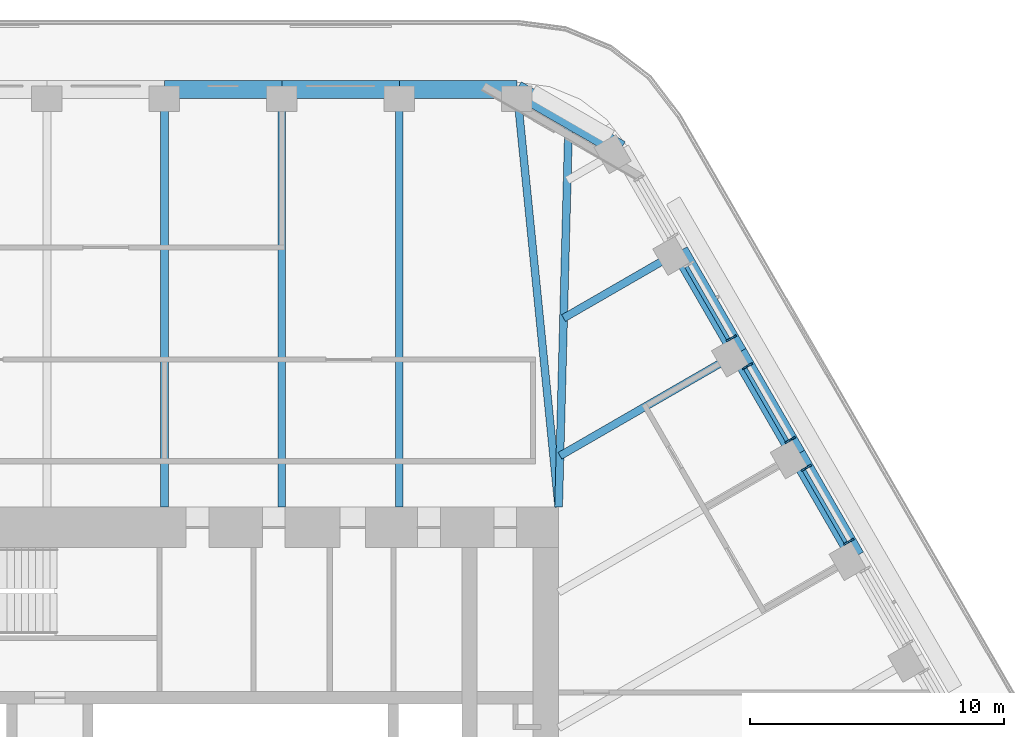
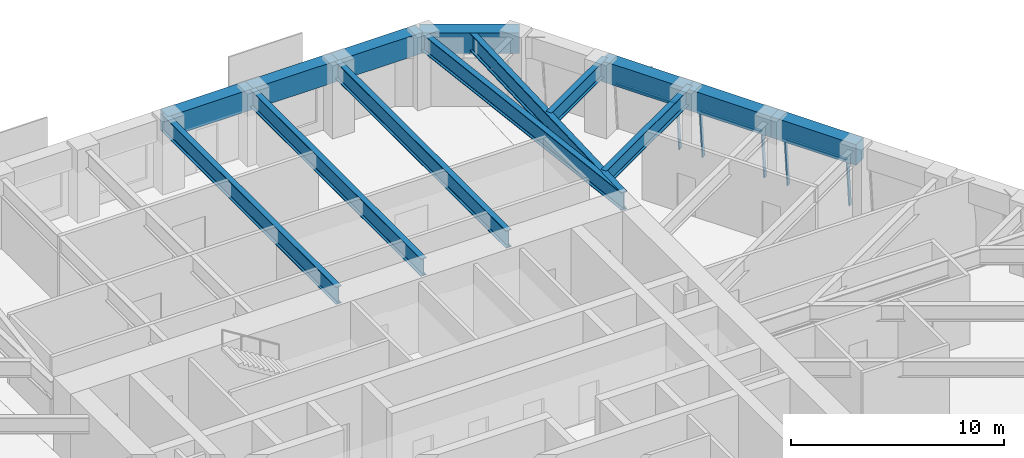
# One storey, part 11 of 20: 14 beams, 8 members, 3 elements without a shape of their own.
"""IFC4 building model written with IfcOpenShell, lengths in metres."""

from ifc_helpers import new_model, si_unit, direction, frame, origin, origin_2d, place, context, subcontext, project, spatial, rectangle, i_section, extrude, material, material_profile, profile_set, type_object, element, aggregate, save


model = new_model("IFC4")

# Units and contexts
model_context = context("Model", 3, precision=1e-05, world=origin(), true_north=direction((0.0, 1.0)))
body_context = subcontext(model_context, "Body", "Model", "MODEL_VIEW")
ifc_project = project(units=[si_unit("LENGTHUNIT", "METRE"), si_unit("AREAUNIT", "SQUARE_METRE"), si_unit("VOLUMEUNIT", "CUBIC_METRE"), si_unit("PLANEANGLEUNIT", "RADIAN"), si_unit("MASSUNIT", "GRAM", prefix="KILO")], contexts=[model_context])

# Site, building, storey
site_placement = place(None, origin())
site = spatial("IfcSite", under=ifc_project, at=site_placement, CompositionType="ELEMENT")
building_placement = place(site_placement, origin())
building = spatial("IfcBuilding", under=site, at=building_placement, Name="Tarfa Lantern Tower", CompositionType="ELEMENT")
storey_placement = place(building_placement, frame((0.0, 0.0, 270.10009765625)))
storey = spatial("IfcBuildingStorey", under=building, at=storey_placement, Name="L61", CompositionType="ELEMENT", Elevation=270.10009765625)

# Curtain wall, members
ifc_material_1 = material(Name="Aluminium framed curtain wall", Category="aluminium")
curtain_wall_type = type_object("IfcCurtainWallType", Name="CW3 CANTED GLAZING HIGH ZONE 2800", PredefinedType="USERDEFINED", material=ifc_material_1)
curtain_wall_1_placement = place(storey_placement, origin())
curtain_wall_1 = element("IfcCurtainWall", 1, at=curtain_wall_1_placement, inside=storey, type_object=curtain_wall_type, Name="CW3 NE L61", ObjectType="CURTAIN WALL", PredefinedType="USERDEFINED")
ifc_material_2 = material(Name="Aluminium mullion", Category="aluminium")
ifc_material_profile_1 = material_profile(ifc_material_2, rectangle(XDim=0.06494140625, YDim=0.199951171875, at=origin_2d()), Name="AL MULLION 65x200")
ifc_profile_set_1 = profile_set([ifc_material_profile_1], Name="Aluminium mullion")
member_type_1 = type_object("IfcMemberType", Name="CWM1 MULLION 65x200", PredefinedType="MULLION", material=ifc_profile_set_1)
member_1_placement = place(storey_placement, frame((27.021240234375, 10.997802734375, 0.0), z_axis=(-0.077039050765, -0.044468989844, 0.996035889715), x_axis=(0.499919672301, -0.866071776036, 0.0)))
member_1 = element("IfcMember", 2, at=member_1_placement, type_object=member_type_1, Name="CW3 mullion 1", PredefinedType="MULLION", context=body_context, shape_type="SweptSolid", body=[
    extrude(rectangle(XDim=0.06494140625, YDim=0.199951171875, at=origin_2d()), origin(), (0.0, 0.0, 1.0), 2.81103515625),
])
member_2_placement = place(storey_placement, frame((25.344482421875, 13.90234375, 0.0), z_axis=(-0.077039050765, -0.044468989844, 0.996035889715), x_axis=(0.499919672301, -0.866071776036, 0.0)))
member_2 = element("IfcMember", 3, at=member_2_placement, type_object=member_type_1, Name="CW3 mullion 2", PredefinedType="MULLION", context=body_context, shape_type="SweptSolid", body=[
    extrude(rectangle(XDim=0.06494140625, YDim=0.199951171875, at=origin_2d()), origin(), (0.0, 0.0, 1.0), 2.81103515625),
])

curtain_wall_2_placement = place(storey_placement, origin())
curtain_wall_2 = element("IfcCurtainWall", 4, at=curtain_wall_2_placement, inside=storey, type_object=curtain_wall_type, Name="CW3 NE L61", ObjectType="CURTAIN WALL", PredefinedType="USERDEFINED")
member_3_placement = place(storey_placement, frame((24.7119140625, 14.997802734375, 0.0), z_axis=(-0.077039050765, -0.044468989844, 0.996035889715), x_axis=(0.499919672301, -0.866071776036, 0.0)))
member_3 = element("IfcMember", 5, at=member_3_placement, type_object=member_type_1, Name="CW3 mullion 1", PredefinedType="MULLION", context=body_context, shape_type="SweptSolid", body=[
    extrude(rectangle(XDim=0.06494140625, YDim=0.199951171875, at=origin_2d()), origin(), (0.0, 0.0, 1.0), 2.81103515625),
])
member_4_placement = place(storey_placement, frame((23.034912109375, 17.90234375, 0.0), z_axis=(-0.077039050765, -0.044468989844, 0.996035889715), x_axis=(0.499919672301, -0.866071776036, 0.0)))
member_4 = element("IfcMember", 6, at=member_4_placement, type_object=member_type_1, Name="CW3 mullion 2", PredefinedType="MULLION", context=body_context, shape_type="SweptSolid", body=[
    extrude(rectangle(XDim=0.06494140625, YDim=0.199951171875, at=origin_2d()), origin(), (0.0, 0.0, 1.0), 2.81103515625),
])

# Curtain wall, member
curtain_wall_3_placement = place(storey_placement, origin())
curtain_wall_3 = element("IfcCurtainWall", 7, at=curtain_wall_3_placement, inside=storey, type_object=curtain_wall_type, Name="CW3 NE L61", ObjectType="CURTAIN WALL", PredefinedType="USERDEFINED")
member_5_placement = place(storey_placement, frame((22.402587890625, 18.997802734375, 0.0), z_axis=(-0.077039050765, -0.044468989844, 0.996035889715), x_axis=(0.499919672301, -0.866071776036, 0.0)))
member_5 = element("IfcMember", 8, at=member_5_placement, type_object=member_type_1, Name="CW3 mullion 1", PredefinedType="MULLION", context=body_context, shape_type="SweptSolid", body=[
    extrude(rectangle(XDim=0.06494140625, YDim=0.199951171875, at=origin_2d()), origin(), (0.0, 0.0, 1.0), 2.81103515625),
])

# Member
ifc_material_3 = material(Name="Aluminium transom", Category="aluminium")
ifc_material_profile_2 = material_profile(ifc_material_3, rectangle(XDim=0.14990234375, YDim=0.06494140625, at=origin_2d()), Name="AL TRANSOM 150x65")
ifc_profile_set_2 = profile_set([ifc_material_profile_2], Name="Aluminium transom")
member_type_2 = type_object("IfcMemberType", Name="CWT1 TRANSOM 150x65", PredefinedType="USERDEFINED", material=ifc_profile_set_2)
member_6_placement = place(storey_placement, frame((26.791015625, 10.90234375, 2.767333984375), z_axis=(-0.499979497339, 0.866037240677, 0.0), x_axis=(-0.866037240677, -0.499979497339, 0.0)))
member_6 = element("IfcMember", 9, at=member_6_placement, type_object=member_type_2, Name="CW3 transom 1.2", ObjectType="TRANSOM", PredefinedType="USERDEFINED", context=body_context, shape_type="SweptSolid", body=[
    extrude(rectangle(XDim=0.14990234375, YDim=0.06494140625, at=origin_2d()), origin(), (0.0, 0.0, 1.0), 3.288818359375),
])

aggregate(curtain_wall_1, [member_1, member_2, member_6])

member_7_placement = place(storey_placement, frame((24.481689453125, 14.90234375, 2.767333984375), z_axis=(-0.500035172766, 0.866005095826, 0.0), x_axis=(-0.866005095826, -0.500035172766, 0.0)))
member_7 = element("IfcMember", 10, at=member_7_placement, type_object=member_type_2, Name="CW3 transom 1.2", ObjectType="TRANSOM", PredefinedType="USERDEFINED", context=body_context, shape_type="SweptSolid", body=[
    extrude(rectangle(XDim=0.14990234375, YDim=0.06494140625, at=origin_2d()), origin(), (0.0, 0.0, 1.0), 3.288818359375),
])

aggregate(curtain_wall_2, [member_3, member_4, member_7])

member_8_placement = place(storey_placement, frame((22.172119140625, 18.90234375, 2.767333984375), z_axis=(-0.499979497339, 0.866037240677, 0.0), x_axis=(-0.866037240677, -0.499979497339, 0.0)))
member_8 = element("IfcMember", 11, at=member_8_placement, type_object=member_type_2, Name="CW3 transom 1.2", ObjectType="TRANSOM", PredefinedType="USERDEFINED", context=body_context, shape_type="SweptSolid", body=[
    extrude(rectangle(XDim=0.14990234375, YDim=0.06494140625, at=origin_2d()), origin(), (0.0, 0.0, 1.0), 3.288818359375),
])

aggregate(curtain_wall_3, [member_5, member_8])

# Beams
ifc_material_4 = material(Name="Concrete C80/95", Category="concrete")
ifc_material_profile_3 = material_profile(ifc_material_4, rectangle(XDim=0.699951171875, YDim=1.199951171875, at=origin_2d()), Name="RC 700x1200")
ifc_profile_set_3 = profile_set([ifc_material_profile_3], Name="Concrete C80/95")
beam_type_1 = type_object("IfcBeamType", Name="EB3 RC 700x1200", PredefinedType="SPANDREL", material=ifc_profile_set_3)
beam_1_placement = place(storey_placement, frame((27.181640625, 10.360107421875, 3.39990234375), z_axis=(-0.499987836815, 0.866032426089, 0.0), x_axis=(-0.866032426089, -0.499987836815, 0.0)))
element("IfcBeam", 12, at=beam_1_placement, inside=storey, type_object=beam_type_1, Name="Edge beam NE2", PredefinedType="SPANDREL", context=body_context, shape_type="SweptSolid", body=[
    extrude(rectangle(XDim=0.699951171875, YDim=1.199951171875, at=origin_2d()), origin(), (0.0, 0.0, 1.0), 4.61865234375),
])
beam_2_placement = place(storey_placement, frame((24.872314453125, 14.360107421875, 3.39990234375), z_axis=(-0.500027479704, 0.866009537788, 0.0), x_axis=(-0.866009537788, -0.500027479704, 0.0)))
element("IfcBeam", 13, at=beam_2_placement, inside=storey, type_object=beam_type_1, Name="Edge beam NE3", PredefinedType="SPANDREL", context=body_context, shape_type="SweptSolid", body=[
    extrude(rectangle(XDim=0.699951171875, YDim=1.199951171875, at=origin_2d()), origin(), (0.0, 0.0, 1.0), 4.618896484375),
])
beam_3_placement = place(storey_placement, frame((22.562744140625, 18.360107421875, 3.39990234375), z_axis=(-0.499987836815, 0.866032426089, 0.0), x_axis=(-0.866032426089, -0.499987836815, 0.0)))
element("IfcBeam", 14, at=beam_3_placement, inside=storey, type_object=beam_type_1, Name="Edge beam NE4", PredefinedType="SPANDREL", context=body_context, shape_type="SweptSolid", body=[
    extrude(rectangle(XDim=0.699951171875, YDim=1.199951171875, at=origin_2d()), origin(), (0.0, 0.0, 1.0), 4.61865234375),
])
beam_4_placement = place(storey_placement, frame((17.944091796875, 26.360107421875, 3.39990234375), z_axis=(-0.866038294681, 0.499977671647, 0.0), x_axis=(-0.499977671647, -0.866038294681, 0.0)))
element("IfcBeam", 15, at=beam_4_placement, inside=storey, type_object=beam_type_1, Name="Edge beam NE6", PredefinedType="SPANDREL", context=body_context, shape_type="SweptSolid", body=[
    extrude(rectangle(XDim=0.699951171875, YDim=1.199951171875, at=origin_2d()), origin(), (0.0, 0.0, 1.0), 4.719970703125),
])
beam_5_placement = place(storey_placement, frame((13.8564453125, 28.719970703125, 3.39990234375), z_axis=(-1.0, 0.0, 0.0), x_axis=(0.0, -1.0, 0.0)))
element("IfcBeam", 16, at=beam_5_placement, inside=storey, type_object=beam_type_1, Name="Edge beam N0", PredefinedType="SPANDREL", context=body_context, shape_type="SweptSolid", body=[
    extrude(rectangle(XDim=0.699951171875, YDim=1.199951171875, at=origin_2d()), origin(), (0.0, 0.0, 1.0), 4.618896484375),
])
beam_6_placement = place(storey_placement, frame((9.237548828125, 28.719970703125, 3.39990234375), z_axis=(-1.0, 0.0, 0.0), x_axis=(0.0, -1.0, 0.0)))
element("IfcBeam", 17, at=beam_6_placement, inside=storey, type_object=beam_type_1, Name="Edge beam N1", PredefinedType="SPANDREL", context=body_context, shape_type="SweptSolid", body=[
    extrude(rectangle(XDim=0.699951171875, YDim=1.199951171875, at=origin_2d()), origin(), (0.0, 0.0, 1.0), 4.61865234375),
])
beam_7_placement = place(storey_placement, frame((4.618896484375, 28.719970703125, 3.39990234375), z_axis=(-1.0, 0.0, 0.0), x_axis=(0.0, -1.0, 0.0)))
element("IfcBeam", 18, at=beam_7_placement, inside=storey, type_object=beam_type_1, Name="Edge beam N2", PredefinedType="SPANDREL", context=body_context, shape_type="SweptSolid", body=[
    extrude(rectangle(XDim=0.699951171875, YDim=1.199951171875, at=origin_2d()), origin(), (0.0, 0.0, 1.0), 4.618896484375),
])
ifc_material_5 = material(Name="Steel S460M", Category="steel")
ifc_material_profile_4 = material_profile(ifc_material_5, i_section(OverallWidth=0.302001953125, OverallDepth=1.008056640625, WebThickness=0.02099609375, FlangeThickness=0.0400390625, FilletRadius=0.030029296875, at=origin_2d()), Name="UB1016x305x349")
ifc_profile_set_4 = profile_set([ifc_material_profile_4], Name="Steel S460M")
beam_type_2 = type_object("IfcBeamType", Name="UB1016x305x349", PredefinedType="BEAM", material=ifc_profile_set_4)
beam_8_placement = place(storey_placement, frame((13.8564453125, 28.719970703125, 3.495849609375), z_axis=(0.099597466746, -0.995027810977, 0.0), x_axis=(0.995027810977, 0.099597466746, 0.0)))
element("IfcBeam", 19, at=beam_8_placement, inside=storey, type_object=beam_type_2, Name="Floor beam N0", PredefinedType="BEAM", context=body_context, shape_type="SweptSolid", body=[
    extrude(i_section(OverallWidth=0.302001953125, OverallDepth=1.008056640625, WebThickness=0.02099609375, FlangeThickness=0.0400390625, FilletRadius=0.030029296875, at=origin_2d()), origin(), (0.0, 0.0, 1.0), 16.501953125),
])
for number, where, z_axis, x_axis, name in (
    (20, (9.237548828125, 28.719970703125, 3.495849609375), (0.0, -1.0, 0.0), (1.0, 0.0, 0.0), "Floor beam N1"),
    (21, (4.618896484375, 28.719970703125, 3.495849609375), (0.0, -1.0, 0.0), (1.0, 0.0, 0.0), "Floor beam N2"),
    (22, (0.0, 28.719970703125, 3.495849609375), (0.0, -1.0, 0.0), (1.0, 0.0, 0.0), "Floor beam N3"),
):
    element("IfcBeam", number, at=place(storey_placement, frame(where, z_axis=z_axis, x_axis=x_axis)), inside=storey, type_object=beam_type_2, Name=name, PredefinedType="BEAM", context=body_context, shape_type="SweptSolid", body=[
        extrude(i_section(OverallWidth=0.302001953125, OverallDepth=1.008056640625, WebThickness=0.02099609375, FlangeThickness=0.0400390625, FilletRadius=0.030029296875, at=origin_2d()), origin(), (0.0, 0.0, 1.0), 16.419921875),
    ])
ifc_material_profile_5 = material_profile(ifc_material_5, i_section(OverallWidth=0.30859375, OverallDepth=1.036376953125, WebThickness=0.030029296875, FlangeThickness=0.05419921875, FilletRadius=0.030029296875, at=origin_2d()), Name="UB1016x305x487")
ifc_profile_set_5 = profile_set([ifc_material_profile_5], Name="Steel S460M")
beam_type_3 = type_object("IfcBeamType", Name="UB1016x305x487", PredefinedType="BEAM", material=ifc_profile_set_5)
beam_9_placement = place(storey_placement, frame((15.5, 12.300048828125, 3.481689453125), z_axis=(0.026247301989, 0.999655480222, 0.0), x_axis=(-0.999655480222, 0.026247301989, 0.0)))
element("IfcBeam", 23, at=beam_9_placement, inside=storey, type_object=beam_type_3, Name="Hip girder NE", PredefinedType="BEAM", context=body_context, shape_type="SweptSolid", body=[
    extrude(i_section(OverallWidth=0.30859375, OverallDepth=1.036376953125, WebThickness=0.030029296875, FlangeThickness=0.05419921875, FilletRadius=0.030029296875, at=origin_2d()), origin(), (0.0, 0.0, 1.0), 15.245361328125),
])
ifc_material_profile_6 = material_profile(ifc_material_5, i_section(OverallWidth=0.305419921875, OverallDepth=0.91845703125, WebThickness=0.017333984375, FlangeThickness=0.02783203125, FilletRadius=0.01904296875, at=origin_2d()), Name="UB914x305x253")
ifc_profile_set_6 = profile_set([ifc_material_profile_6], Name="Steel S460M")
beam_type_4 = type_object("IfcBeamType", Name="UB914x305x253", PredefinedType="BEAM", material=ifc_profile_set_6)
beam_10_placement = place(storey_placement, frame((22.562744140625, 18.360107421875, 3.540771484375), z_axis=(-0.866010787764, -0.500025314835, 0.0), x_axis=(0.500025314835, -0.866010787764, 0.0)))
element("IfcBeam", 24, at=beam_10_placement, inside=storey, type_object=beam_type_4, Name="Floor beam NE4", PredefinedType="BEAM", context=body_context, shape_type="SweptSolid", body=[
    extrude(i_section(OverallWidth=0.305419921875, OverallDepth=0.91845703125, WebThickness=0.017333984375, FlangeThickness=0.02783203125, FilletRadius=0.01904296875, at=origin_2d()), origin(), (0.0, 0.0, 1.0), 8.09423828125),
])
beam_11_placement = place(storey_placement, frame((20.25341796875, 22.360107421875, 3.540771484375), z_axis=(-0.86601951648, -0.500010196972, 0.0), x_axis=(0.500010196972, -0.86601951648, 0.0)))
element("IfcBeam", 25, at=beam_11_placement, inside=storey, type_object=beam_type_4, Name="Floor beam NE5", PredefinedType="BEAM", context=body_context, shape_type="SweptSolid", body=[
    extrude(i_section(OverallWidth=0.305419921875, OverallDepth=0.91845703125, WebThickness=0.017333984375, FlangeThickness=0.02783203125, FilletRadius=0.01904296875, at=origin_2d()), origin(), (0.0, 0.0, 1.0), 5.263671875),
])

save(model, "model.ifc")
